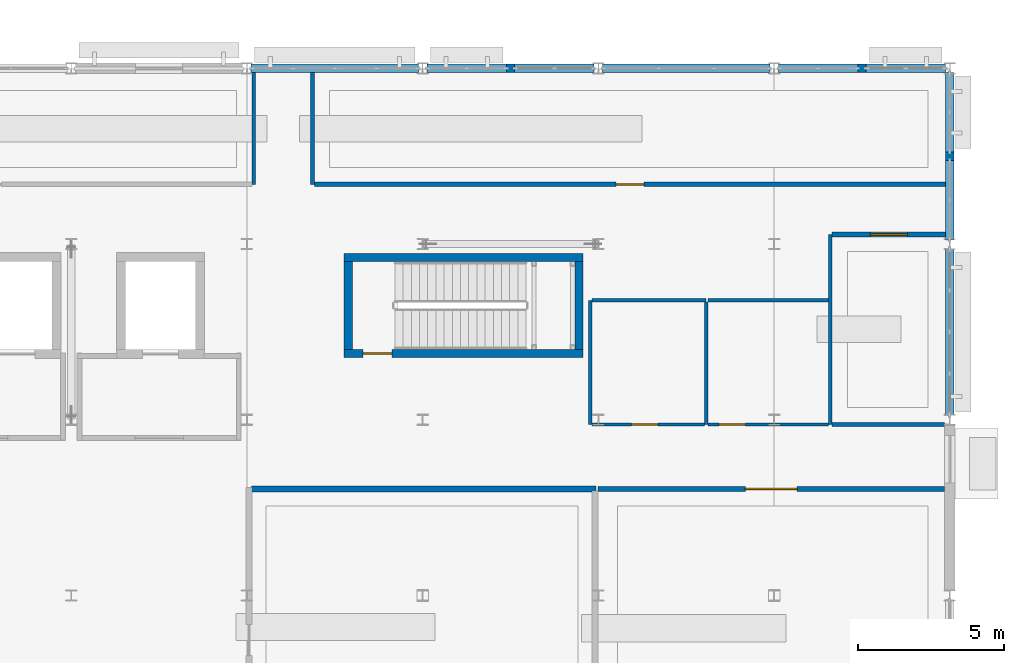
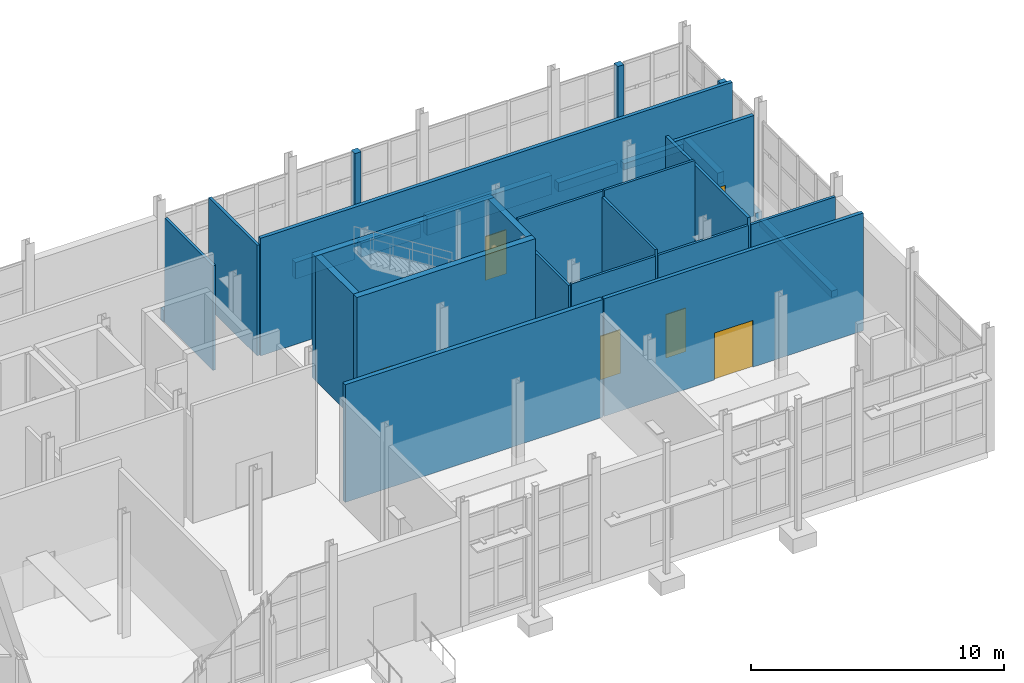
# One storey, part 104 of 120: 30 walls, 6 doors, 6 openings.
"""IFC4 building model written with IfcOpenShell, lengths in metres."""

import ifcopenshell
import ifcopenshell.guid

model = None  # the IFC model being written
_history = None  # IfcOwnerHistory: only IFC2X3 demands one
_inside = {}  # id of a spatial element -> (the spatial element, [elements in it])
_under = {}  # id of a project, library or spatial element -> (it, [spatial elements below it])
_declared = {}  # id of a project -> (the project, [libraries it declares])
_typed = {}  # id of a type object -> (the type object, [elements of that type])
_made_of = {}  # id of a material, layer set ... -> (it, [elements and type objects made of it])


def new_model(schema):
    """Start an empty IFC model of exactly this schema.

    Asked for "IFC4X3", IfcOpenShell would pick the latest addendum, in which some entities
    have other attributes; the version numbers below select the first issue.
    IFC2X3 requires an IfcOwnerHistory on every rooted entity: one is made here for all.
    """
    global model, _history
    if schema == "IFC4X3":
        model = ifcopenshell.file(schema_version=(4, 3, 0, 0))
    else:
        model = ifcopenshell.file(schema=schema)
    _inside.clear()
    _under.clear()
    _declared.clear()
    _typed.clear()
    _made_of.clear()
    _history = None
    if model.schema == "IFC2X3":
        org = make("IfcOrganization", Name="unknown")
        user = make(
            "IfcPersonAndOrganization",
            ThePerson=make("IfcPerson", FamilyName="unknown"),
            TheOrganization=org,
        )
        app = make(
            "IfcApplication",
            ApplicationDeveloper=org,
            Version="unknown",
            ApplicationFullName="unknown",
            ApplicationIdentifier="unknown",
        )
        _history = make(
            "IfcOwnerHistory",
            OwningUser=user,
            OwningApplication=app,
            ChangeAction="ADDED",
            CreationDate=0,
        )
    return model


def make(cls, **values):
    """One entity of the class cls with the attributes given. An attribute that is None is left unset."""
    return model.create_entity(
        cls, **{name: value for name, value in values.items() if value is not None}
    )


def rooted(cls, **values):
    """An entity with a GlobalId (a new one), such as an element, a storey or a relation."""
    return make(cls, GlobalId=ifcopenshell.guid.new(), OwnerHistory=_history, **values)


def si_unit(unit_type, name, prefix=None):
    """IfcSIUnit, for example si_unit("LENGTHUNIT", "METRE", prefix="MILLI")."""
    return make("IfcSIUnit", UnitType=unit_type, Prefix=prefix, Name=name)


def assignment(units):
    """IfcUnitAssignment: the units of a project."""
    return None if units is None else make("IfcUnitAssignment", Units=units)


def point(xyz):
    """IfcCartesianPoint."""
    return None if xyz is None else make("IfcCartesianPoint", Coordinates=xyz)


def direction(xyz):
    """IfcDirection."""
    return None if xyz is None else make("IfcDirection", DirectionRatios=xyz)


def frame(location, z_axis=None, x_axis=None):
    """IfcAxis2Placement3D, a coordinate frame: its origin and axes. An axis left out is left unset."""
    return make(
        "IfcAxis2Placement3D",
        Location=point(location),
        Axis=direction(z_axis),
        RefDirection=direction(x_axis),
    )


def frame_2d(location, x_axis=None):
    """IfcAxis2Placement2D, a coordinate frame in the plane: its origin and x axis."""
    return make(
        "IfcAxis2Placement2D", Location=point(location), RefDirection=direction(x_axis)
    )


def origin():
    """The frame at (0, 0, 0) with its axes left unset."""
    return frame((0.0, 0.0, 0.0))


def place(relative_to, where):
    """IfcLocalPlacement: puts the frame where relative to a parent placement (None: the world)."""
    return make(
        "IfcLocalPlacement", PlacementRelTo=relative_to, RelativePlacement=where
    )


def context(
    kind, dimensions, precision=None, world=None, true_north=None, identifier=None
):
    """IfcGeometricRepresentationContext, for example the 3D "Model" context."""
    return make(
        "IfcGeometricRepresentationContext",
        ContextIdentifier=identifier,
        ContextType=kind,
        CoordinateSpaceDimension=dimensions,
        Precision=precision,
        WorldCoordinateSystem=world,
        TrueNorth=true_north,
    )


def subcontext(parent, identifier, kind, view, scale=None):
    """IfcGeometricRepresentationSubContext, for example "Body" below "Model"."""
    return make(
        "IfcGeometricRepresentationSubContext",
        ContextIdentifier=identifier,
        ContextType=kind,
        ParentContext=parent,
        TargetScale=scale,
        TargetView=view,
    )


def project(units=None, contexts=None):
    """IfcProject with its units and contexts."""
    return rooted(
        "IfcProject",
        Name="project",
        RepresentationContexts=contexts,
        UnitsInContext=assignment(units),
    )


def spatial(cls, under=None, at=None, **own):
    """A site, building, storey or space (cls), placed at a placement, below another one or the project."""
    s = rooted(cls, ObjectPlacement=at, **own)
    if under is not None:
        _under.setdefault(under.id(), (under, []))[1].append(s)
    return s


def profile(cls, at=None, kind="AREA", **sizes):
    """A parametric profile (cls). Its sizes go by their IFC names, for example OverallWidth=200.0."""
    return make(cls, ProfileType=kind, Position=at, **sizes)


def rectangle(**sizes):
    """IfcRectangleProfileDef."""
    return profile("IfcRectangleProfileDef", **sizes)


def extrude(swept, where, along, depth):
    """IfcExtrudedAreaSolid: the profile swept, set in the frame where, extruded along a direction by depth."""
    return make(
        "IfcExtrudedAreaSolid",
        SweptArea=swept,
        Position=where,
        ExtrudedDirection=direction(along),
        Depth=depth,
    )


def shape(context_of_items, identifier, shape_type, items):
    """IfcShapeRepresentation: the items that make up one representation, for example the "Body"."""
    return make(
        "IfcShapeRepresentation",
        ContextOfItems=context_of_items,
        RepresentationIdentifier=identifier,
        RepresentationType=shape_type,
        Items=items,
    )


def material(Name=None, Category=None):
    """IfcMaterial."""
    return make("IfcMaterial", Name=Name, Category=Category)


def layer(
    of_material, thickness, ventilated=None, Name=None, Category=None, Priority=None
):
    """IfcMaterialLayer: one layer of a wall or slab, of a material (None: an air gap)."""
    return make(
        "IfcMaterialLayer",
        Material=of_material,
        LayerThickness=thickness,
        IsVentilated=ventilated,
        Name=Name,
        Category=Category,
        Priority=Priority,
    )


def layer_set(layers, Name=None):
    """IfcMaterialLayerSet."""
    return make("IfcMaterialLayerSet", MaterialLayers=layers, LayerSetName=Name)


def made_of(thing, what):
    """Note that an element or type object is made of a material, layer set ...; save() writes the relation."""
    if what is not None:
        _made_of.setdefault(what.id(), (what, []))[1].append(thing)
    return thing


def type_object(cls, material=None, **own):
    """A type object (cls), such as IfcWallType, which elements share."""
    return made_of(rooted(cls, **own), material)


def element(
    cls,
    number,
    at=None,
    inside=None,
    cuts=None,
    type_object=None,
    material=None,
    context=None,
    identifier="Body",
    shape_type=None,
    held_by="IfcProductDefinitionShape",
    body=None,
    shapes=None,
    **own,
):
    """One element of the class cls, such as IfcWall. Its Tag is "e" and its number.

    at: its placement. inside: the storey or other place that contains it. cuts: it is an
    opening in that element (IfcRelVoidsElement). A single representation is given by context,
    identifier, shape_type and body (its items); several are given by shapes. held_by: the class
    of the entity that holds the representations. save() writes the other relations.
    """
    e = rooted(cls, Tag="e%d" % number, ObjectPlacement=at, **own)
    if body is not None:
        shapes = [shape(context, identifier, shape_type, body)]
    if shapes is not None:
        e.Representation = make(held_by, Representations=shapes)
    if inside is not None:
        _inside.setdefault(inside.id(), (inside, []))[1].append(e)
    if cuts is not None:
        rooted(
            "IfcRelVoidsElement", RelatingBuildingElement=cuts, RelatedOpeningElement=e
        )
    if type_object is not None:
        _typed.setdefault(type_object.id(), (type_object, []))[1].append(e)
    return made_of(e, material)


def fill(opening, filler):
    """IfcRelFillsElement: the door or window that sits in an opening."""
    return rooted(
        "IfcRelFillsElement",
        RelatingOpeningElement=opening,
        RelatedBuildingElement=filler,
    )


def aggregate(whole, parts):
    """IfcRelAggregates: a whole, such as a stair, and the parts it consists of."""
    return rooted("IfcRelAggregates", RelatingObject=whole, RelatedObjects=parts)


def save(model, path):
    """Write the relations noted so far, then the file.

    IfcRelAggregates (storeys below a building ...), IfcRelContainedInSpatialStructure (elements
    in a storey), IfcRelDefinesByType, IfcRelAssociatesMaterial and IfcRelDeclares: one each for
    every whole, place, type object, material and project.
    """
    for whole, parts in _under.values():
        aggregate(whole, parts)
    for where, things in _inside.values():
        rooted(
            "IfcRelContainedInSpatialStructure",
            RelatedElements=things,
            RelatingStructure=where,
        )
    for kind, things in _typed.values():
        rooted("IfcRelDefinesByType", RelatedObjects=things, RelatingType=kind)
    for what, things in _made_of.values():
        rooted("IfcRelAssociatesMaterial", RelatedObjects=things, RelatingMaterial=what)
    for by, libraries in _declared.values():
        rooted("IfcRelDeclares", RelatingContext=by, RelatedDefinitions=libraries)
    model.write(path)


model = new_model("IFC4")

# Units and contexts
model_context = context("Model", 3, precision=1e-05, world=origin(), true_north=direction((0.0, 1.0)))
body_context = subcontext(model_context, "Body", "Model", "MODEL_VIEW")
ifc_project = project(units=[si_unit("LENGTHUNIT", "METRE"), si_unit("AREAUNIT", "SQUARE_METRE"), si_unit("VOLUMEUNIT", "CUBIC_METRE"), si_unit("PLANEANGLEUNIT", "RADIAN"), si_unit("MASSUNIT", "GRAM", prefix="KILO")], contexts=[model_context])

# Site, building, storey
site_placement = place(None, origin())
site = spatial("IfcSite", under=ifc_project, at=site_placement, CompositionType="ELEMENT")
building_placement = place(site_placement, origin())
building = spatial("IfcBuilding", under=site, at=building_placement, Name="Siltcreek Boulevard Central Fire Station", CompositionType="ELEMENT")
storey_placement = place(building_placement, origin())
storey = spatial("IfcBuildingStorey", under=building, at=storey_placement, Name="L01", CompositionType="ELEMENT", Elevation=0.0)

# Wall, opening, door
ifc_material_1 = material(Name="Concrete C40/50", Category="concrete")
ifc_layer_1 = layer(ifc_material_1, 0.280029296875, Name="Concrete C40/50")
ifc_layer_set_1 = layer_set([ifc_layer_1], Name="Concrete C40/50")
wall_type_1 = type_object("IfcWallType", Name="CW_SHEAR280", PredefinedType="SHEAR", material=ifc_layer_set_1)
wall_1_placement = place(storey_placement, frame((145.52001953125, 102.4599609375, 0.0), z_axis=(0.0, 0.0, 1.0), x_axis=(1.0, 0.0, 0.0)))
wall_1 = element("IfcWall", 1, at=wall_1_placement, inside=storey, type_object=wall_type_1, Name="L01 ST-V5B stair enclosure south shear wall", PredefinedType="SHEAR", context=body_context, shape_type="SweptSolid", body=[
    extrude(rectangle(XDim=8.159912109375, YDim=0.280029296875, at=frame_2d((4.080078125, 0.0))), origin(), (0.0, 0.0, 1.0), 6.0),
])
opening_1_placement = place(wall_1_placement, frame((0.64990234375, 0.0, 0.0)))
opening_1 = element("IfcOpeningElement", 2, at=opening_1_placement, cuts=wall_1, Name="Opening SD-039", PredefinedType="OPENING", context=body_context, shape_type="SweptSolid", body=[
    extrude(rectangle(XDim=0.97998046875, YDim=2.14990234375, at=frame_2d((0.489990234375, 1.074951171875))), frame((0.0, 0.14990234375, 0.0), z_axis=(0.0, -1.0, 0.0), x_axis=(1.0, 0.0, 0.0)), (0.0, 0.0, 1.0), 0.300048828125),
])
ifc_material_2 = material(Name="Hollow metal 90-min enclosed stair door")
door_type_1 = type_object("IfcDoorType", Name="DR_ST_098X215", OperationType="NOTDEFINED", PredefinedType="DOOR", material=ifc_material_2)
door_1_placement = place(opening_1_placement, origin())
door_1 = element("IfcDoor", 3, at=door_1_placement, inside=storey, type_object=door_type_1, Name="L01 ST-V5B enclosed exit stair door SD-039", OperationType="SINGLE_SWING_RIGHT", OverallHeight=2.14990234375, OverallWidth=0.97998046875, PredefinedType="DOOR", context=body_context, shape_type="SweptSolid", body=[
    extrude(rectangle(XDim=0.97998046875, YDim=2.14990234375, at=frame_2d((0.489990234375, 1.074951171875))), frame((0.0, 0.02490234375, 0.0), z_axis=(0.0, -1.0, 0.0), x_axis=(1.0, 0.0, 0.0)), (0.0, 0.0, 1.0), 0.050048828125),
])
fill(opening_1, door_1)

# Walls
wall_2_placement = place(storey_placement, frame((153.679931640625, 105.739990234375, 0.0), z_axis=(0.0, 0.0, 1.0), x_axis=(-1.0, 0.0, 0.0)))
element("IfcWall", 4, at=wall_2_placement, inside=storey, type_object=wall_type_1, Name="L01 ST-V5B stair enclosure north shear wall", PredefinedType="SHEAR", context=body_context, shape_type="SweptSolid", body=[
    extrude(rectangle(XDim=8.159912109375, YDim=0.280029296875, at=frame_2d((4.080078125, 0.0))), origin(), (0.0, 0.0, 1.0), 6.0),
])
for number, where, z_axis, x_axis, name in (
    (5, (145.659912109375, 105.60009765625, 0.0), (0.0, 0.0, 1.0), (0.0, -1.0, 0.0), "L01 ST-V5B stair enclosure west shear wall"),
    (6, (153.5400390625, 102.60009765625, 0.0), (0.0, 0.0, 1.0), (0.0, 1.0, 0.0), "L01 ST-V5B stair enclosure east shear wall"),
):
    element("IfcWall", number, at=place(storey_placement, frame(where, z_axis=z_axis, x_axis=x_axis)), inside=storey, type_object=wall_type_1, Name=name, PredefinedType="SHEAR", context=body_context, shape_type="SweptSolid", body=[
        extrude(rectangle(XDim=3.0, YDim=0.280029296875, at=frame_2d((1.5, 0.0))), origin(), (0.0, 0.0, 1.0), 6.0),
    ])
ifc_material_3 = material(Name="White ribbed aluminum spandrel wall", Category="aluminium")
ifc_layer_2 = layer(ifc_material_3, 0.2900390625, Name="White ribbed aluminum spandrel wall")
ifc_layer_set_2 = layer_set([ifc_layer_2], Name="White ribbed aluminum spandrel wall")
wall_type_2 = type_object("IfcWallType", Name="EW_METAL290", PredefinedType="STANDARD", material=ifc_layer_set_2)
wall_3_placement = place(storey_placement, frame((148.054931640625, 112.199951171875, 0.0), z_axis=(0.0, 0.0, 1.0), x_axis=(-1.0, 0.0, 0.0)))
element("IfcWall", 7, at=wall_3_placement, inside=storey, type_object=wall_type_2, Name="L01 V5 curtain-wall sill spandrel 0311", PredefinedType="STANDARD", context=body_context, shape_type="SweptSolid", body=[
    extrude(rectangle(XDim=5.7099609375, YDim=0.2900390625, at=frame_2d((2.85498046875, 0.0))), origin(), (0.0, 0.0, 1.0), 0.56005859375),
])
wall_4_placement = place(storey_placement, frame((151.340087890625, 112.199951171875, 0.0), z_axis=(0.0, 0.0, 1.0), x_axis=(-1.0, 0.0, 0.0)))
element("IfcWall", 8, at=wall_4_placement, inside=storey, type_object=wall_type_2, Name="L01 V5 facade pier 0312", PredefinedType="STANDARD", context=body_context, shape_type="SweptSolid", body=[
    extrude(rectangle(XDim=0.280029296875, YDim=0.2900390625, at=frame_2d((0.14013671875, 0.0))), origin(), (0.0, 0.0, 1.0), 5.113037109375),
])
wall_5_placement = place(storey_placement, frame((154.054931640625, 112.199951171875, 0.0), z_axis=(0.0, 0.0, 1.0), x_axis=(-1.0, 0.0, 0.0)))
element("IfcWall", 9, at=wall_5_placement, inside=storey, type_object=wall_type_2, Name="L01 V5 curtain-wall sill spandrel 0313", PredefinedType="STANDARD", context=body_context, shape_type="SweptSolid", body=[
    extrude(rectangle(XDim=2.71484375, YDim=0.2900390625, at=frame_2d((1.357421875, 0.0))), origin(), (0.0, 0.0, 1.0), 0.679931640625),
])
wall_6_placement = place(storey_placement, frame((151.06005859375, 112.199951171875, 0.0), z_axis=(0.0, 0.0, 1.0), x_axis=(-1.0, 0.0, 0.0)))
element("IfcWall", 10, at=wall_6_placement, inside=storey, type_object=wall_type_2, Name="L01 V5 curtain-wall sill spandrel 0314", PredefinedType="STANDARD", context=body_context, shape_type="SweptSolid", body=[
    extrude(rectangle(XDim=2.715087890625, YDim=0.2900390625, at=frame_2d((1.357421875, 0.0))), origin(), (0.0, 0.0, 1.0), 0.800048828125),
])
wall_7_placement = place(storey_placement, frame((160.054931640625, 112.199951171875, 0.0), z_axis=(0.0, 0.0, 1.0), x_axis=(-1.0, 0.0, 0.0)))
element("IfcWall", 11, at=wall_7_placement, inside=storey, type_object=wall_type_2, Name="L01 V5 curtain-wall sill spandrel 0315", PredefinedType="STANDARD", context=body_context, shape_type="SweptSolid", body=[
    extrude(rectangle(XDim=5.7099609375, YDim=0.2900390625, at=frame_2d((2.85498046875, 0.0))), origin(), (0.0, 0.0, 1.0), 0.919921875),
])
wall_8_placement = place(storey_placement, frame((163.340087890625, 112.199951171875, 0.0), z_axis=(0.0, 0.0, 1.0), x_axis=(-1.0, 0.0, 0.0)))
element("IfcWall", 12, at=wall_8_placement, inside=storey, type_object=wall_type_2, Name="L01 V5 facade pier 0316", PredefinedType="STANDARD", context=body_context, shape_type="SweptSolid", body=[
    extrude(rectangle(XDim=0.280029296875, YDim=0.2900390625, at=frame_2d((0.14013671875, 0.0))), origin(), (0.0, 0.0, 1.0), 5.113037109375),
])
wall_9_placement = place(storey_placement, frame((166.054931640625, 112.199951171875, 0.0), z_axis=(0.0, 0.0, 1.0), x_axis=(-1.0, 0.0, 0.0)))
element("IfcWall", 13, at=wall_9_placement, inside=storey, type_object=wall_type_2, Name="L01 V5 curtain-wall sill spandrel 0317", PredefinedType="STANDARD", context=body_context, shape_type="SweptSolid", body=[
    extrude(rectangle(XDim=2.71484375, YDim=0.2900390625, at=frame_2d((1.357421875, 0.0))), origin(), (0.0, 0.0, 1.0), 0.320068359375),
])
wall_10_placement = place(storey_placement, frame((163.06005859375, 112.199951171875, 0.0), z_axis=(0.0, 0.0, 1.0), x_axis=(-1.0, 0.0, 0.0)))
element("IfcWall", 14, at=wall_10_placement, inside=storey, type_object=wall_type_2, Name="L01 V5 curtain-wall sill spandrel 0318", PredefinedType="STANDARD", context=body_context, shape_type="SweptSolid", body=[
    extrude(rectangle(XDim=2.715087890625, YDim=0.2900390625, at=frame_2d((1.357421875, 0.0))), origin(), (0.0, 0.0, 1.0), 0.43994140625),
])
wall_11_placement = place(storey_placement, frame((166.199951171875, 100.344970703125, 0.0), z_axis=(0.0, 0.0, 1.0), x_axis=(0.0, 1.0, 0.0)))
element("IfcWall", 15, at=wall_11_placement, inside=storey, type_object=wall_type_2, Name="L01 V5 curtain-wall sill spandrel 0327", PredefinedType="STANDARD", context=body_context, shape_type="SweptSolid", body=[
    extrude(rectangle(XDim=5.7099609375, YDim=0.2900390625, at=frame_2d((2.85498046875, 0.0))), origin(), (0.0, 0.0, 1.0), 0.320068359375),
])
wall_12_placement = place(storey_placement, frame((166.199951171875, 109.06005859375, 0.0), z_axis=(0.0, 0.0, 1.0), x_axis=(0.0, 1.0, 0.0)))
element("IfcWall", 16, at=wall_12_placement, inside=storey, type_object=wall_type_2, Name="L01 V5 facade pier 0328", PredefinedType="STANDARD", context=body_context, shape_type="SweptSolid", body=[
    extrude(rectangle(XDim=0.280029296875, YDim=0.2900390625, at=frame_2d((0.14013671875, 0.0))), origin(), (0.0, 0.0, 1.0), 5.0439453125),
])
wall_13_placement = place(storey_placement, frame((166.199951171875, 106.344970703125, 0.0), z_axis=(0.0, 0.0, 1.0), x_axis=(0.0, 1.0, 0.0)))
element("IfcWall", 17, at=wall_13_placement, inside=storey, type_object=wall_type_2, Name="L01 V5 curtain-wall sill spandrel 0329", PredefinedType="STANDARD", context=body_context, shape_type="SweptSolid", body=[
    extrude(rectangle(XDim=2.715087890625, YDim=0.2900390625, at=frame_2d((1.357421875, 0.0))), origin(), (0.0, 0.0, 1.0), 0.43994140625),
])
wall_14_placement = place(storey_placement, frame((166.199951171875, 109.340087890625, 0.0), z_axis=(0.0, 0.0, 1.0), x_axis=(0.0, 1.0, 0.0)))
element("IfcWall", 18, at=wall_14_placement, inside=storey, type_object=wall_type_2, Name="L01 V5 curtain-wall sill spandrel 0330", PredefinedType="STANDARD", context=body_context, shape_type="SweptSolid", body=[
    extrude(rectangle(XDim=2.71484375, YDim=0.2900390625, at=frame_2d((1.357421875, 0.0))), origin(), (0.0, 0.0, 1.0), 0.56005859375),
])
ifc_material_4 = material(Name="Fire-rated concrete masonry and gypsum barrier", Category="masonry")
ifc_layer_3 = layer(ifc_material_4, 0.199951171875, Name="Fire-rated concrete masonry and gypsum barrier")
ifc_layer_set_3 = layer_set([ifc_layer_3], Name="Fire-rated concrete masonry and gypsum barrier")
wall_type_3 = type_object("IfcWallType", Name="IW_FIRE200", PredefinedType="PARTITIONING", material=ifc_layer_set_3)
wall_15_placement = place(storey_placement, frame((142.35009765625, 97.840087890625, 0.0), z_axis=(0.0, 0.0, 1.0), x_axis=(1.0, 0.0, 0.0)))
element("IfcWall", 19, at=wall_15_placement, inside=storey, type_object=wall_type_3, Name="L01 Fire Prevention Bureau Office partition 0077", PredefinedType="PARTITIONING", context=body_context, shape_type="SweptSolid", body=[
    extrude(rectangle(XDim=11.77001953125, YDim=0.199951171875, at=frame_2d((5.885009765625, 0.0))), origin(), (0.0, 0.0, 1.0), 5.679931640625),
])
ifc_material_5 = material(Name="Interior steel stud gypsum partition", Category="steel")
ifc_layer_4 = layer(ifc_material_5, 0.125, Name="Interior steel stud gypsum partition")
ifc_layer_set_4 = layer_set([ifc_layer_4], Name="Interior steel stud gypsum partition")
wall_type_4 = type_object("IfcWallType", Name="IW_PART125", PredefinedType="PARTITIONING", material=ifc_layer_set_4)
wall_16_placement = place(storey_placement, frame((142.429931640625, 112.054931640625, 0.0), z_axis=(0.0, 0.0, 1.0), x_axis=(0.0, -1.0, 0.0)))
element("IfcWall", 20, at=wall_16_placement, inside=storey, type_object=wall_type_4, Name="L01 Public Records and Hydrant Map Room partition 0080", PredefinedType="PARTITIONING", context=body_context, shape_type="SweptSolid", body=[
    extrude(rectangle(XDim=3.8173828125, YDim=0.125, at=frame_2d((1.90869140625, 0.0))), origin(), (0.0, 0.0, 1.0), 5.0439453125),
])
wall_17_placement = place(storey_placement, frame((144.43994140625, 108.237548828125, 0.0), z_axis=(0.0, 0.0, 1.0), x_axis=(0.0, 1.0, 0.0)))
element("IfcWall", 21, at=wall_17_placement, inside=storey, type_object=wall_type_4, Name="L01 Community Risk Reduction Office partition 0082", PredefinedType="PARTITIONING", context=body_context, shape_type="SweptSolid", body=[
    extrude(rectangle(XDim=3.8173828125, YDim=0.125, at=frame_2d((1.90869140625, 0.0))), origin(), (0.0, 0.0, 1.0), 5.339111328125),
])
wall_18_placement = place(storey_placement, frame((162.1201171875, 100.03759765625, 0.0), z_axis=(0.0, 0.0, 1.0), x_axis=(0.0, 1.0, 0.0)))
element("IfcWall", 22, at=wall_18_placement, inside=storey, type_object=wall_type_4, Name="L01 Permit Consultation Room partition 0088", PredefinedType="PARTITIONING", context=body_context, shape_type="SweptSolid", body=[
    extrude(rectangle(XDim=6.494873046875, YDim=0.125, at=frame_2d((3.24755859375, 0.0))), origin(), (0.0, 0.0, 1.0), 5.450927734375),
])
wall_19_placement = place(storey_placement, frame((166.02490234375, 100.0400390625, 0.0), z_axis=(0.0, 0.0, 1.0), x_axis=(-1.0, 0.0, 0.0)))
element("IfcWall", 23, at=wall_19_placement, inside=storey, type_object=wall_type_4, Name="L01 Permit Consultation Room partition 0090", PredefinedType="PARTITIONING", context=body_context, shape_type="SweptSolid", body=[
    extrude(rectangle(XDim=3.84228515625, YDim=0.125, at=frame_2d((1.921142578125, 0.0))), origin(), (0.0, 0.0, 1.0), 5.113037109375),
])

# Wall, opening, door
ifc_material_6 = material(Name="Acoustic smoke-barrier steel stud gypsum wall", Category="steel")
ifc_layer_5 = layer(ifc_material_6, 0.1650390625, Name="Acoustic smoke-barrier steel stud gypsum wall")
ifc_layer_set_5 = layer_set([ifc_layer_5], Name="Acoustic smoke-barrier steel stud gypsum wall")
wall_type_5 = type_object("IfcWallType", Name="IW_SMK165", PredefinedType="PARTITIONING", material=ifc_layer_set_5)
wall_20_placement = place(storey_placement, frame((154.179931640625, 97.840087890625, 0.0), z_axis=(0.0, 0.0, 1.0), x_axis=(1.0, 0.0, 0.0)))
wall_20 = element("IfcWall", 24, at=wall_20_placement, inside=storey, type_object=wall_type_5, Name="L01 Engineering Plan Review Suite partition 0079", PredefinedType="PARTITIONING", context=body_context, shape_type="SweptSolid", body=[
    extrude(rectangle(XDim=11.844970703125, YDim=0.1650390625, at=frame_2d((5.92236328125, 0.0))), origin(), (0.0, 0.0, 1.0), 5.679931640625),
])
opening_2_placement = place(wall_20_placement, frame((5.04248046875, 0.0, 0.0)))
opening_2 = element("IfcOpeningElement", 25, at=opening_2_placement, cuts=wall_20, Name="Opening AD01", PredefinedType="OPENING", context=body_context, shape_type="SweptSolid", body=[
    extrude(rectangle(XDim=1.760009765625, YDim=2.260009765625, at=frame_2d((0.8798828125, 1.1298828125))), frame((0.0, 0.092529296875, 0.0), z_axis=(0.0, -1.0, 0.0), x_axis=(1.0, 0.0, 0.0)), (0.0, 0.0, 1.0), 0.18505859375),
])
ifc_material_7 = material(Name="Acoustic solid-core lecture theatre vomitory pair")
door_type_2 = type_object("IfcDoorType", Name="DR_TH_176X226", OperationType="NOTDEFINED", PredefinedType="DOOR", material=ifc_material_7)
door_2_placement = place(opening_2_placement, frame((1.760009765625, 0.0, 0.0), z_axis=(0.0, 0.0, 1.0), x_axis=(-1.0, 0.0, 0.0)))
door_2 = element("IfcDoor", 26, at=door_2_placement, inside=storey, type_object=door_type_2, Name="L01 Engineering Plan Review Suite door ID-0036", OperationType="DOUBLE_DOOR_SINGLE_SWING", OverallHeight=2.260009765625, OverallWidth=1.760009765625, PredefinedType="DOOR", context=body_context, shape_type="SweptSolid", body=[
    extrude(rectangle(XDim=1.760009765625, YDim=2.260009765625, at=frame_2d((0.8798828125, 1.1298828125))), frame((0.0, 0.02490234375, 0.0), z_axis=(0.0, -1.0, 0.0), x_axis=(1.0, 0.0, 0.0)), (0.0, 0.0, 1.0), 0.050048828125),
])
fill(opening_2, door_2)

wall_21_placement = place(storey_placement, frame((166.054931640625, 108.239990234375, 0.0), z_axis=(0.0, 0.0, 1.0), x_axis=(-1.0, 0.0, 0.0)))
wall_21 = element("IfcWall", 27, at=wall_21_placement, inside=storey, type_object=wall_type_5, Name="L01 Community Risk Reduction Office partition 0083", PredefinedType="PARTITIONING", context=body_context, shape_type="SweptSolid", body=[
    extrude(rectangle(XDim=21.552490234375, YDim=0.1650390625, at=frame_2d((10.7763671875, 0.0))), origin(), (0.0, 0.0, 1.0), 5.679931640625),
])
opening_3_placement = place(wall_21_placement, frame((10.30126953125, 0.0, 0.0)))
opening_3 = element("IfcOpeningElement", 28, at=opening_3_placement, cuts=wall_21, Name="Opening ID05", PredefinedType="OPENING", context=body_context, shape_type="SweptSolid", body=[
    extrude(rectangle(XDim=0.949951171875, YDim=2.1201171875, at=frame_2d((0.47509765625, 1.06005859375))), frame((0.0, 0.092529296875, 0.0), z_axis=(0.0, -1.0, 0.0), x_axis=(1.0, 0.0, 0.0)), (0.0, 0.0, 1.0), 0.18505859375),
])
ifc_material_8 = material(Name="STC-45 officer bunk suite door")
door_type_3 = type_object("IfcDoorType", Name="DR_OFS_095X212", OperationType="NOTDEFINED", PredefinedType="DOOR", material=ifc_material_8)
door_3_placement = place(opening_3_placement, frame((0.949951171875, 0.0, 0.0), z_axis=(0.0, 0.0, 1.0), x_axis=(-1.0, 0.0, 0.0)))
door_3 = element("IfcDoor", 29, at=door_3_placement, inside=storey, type_object=door_type_3, Name="L01 Community Risk Reduction Office door ID-0038", OperationType="SINGLE_SWING_LEFT", OverallHeight=2.1201171875, OverallWidth=0.949951171875, PredefinedType="DOOR", context=body_context, shape_type="SweptSolid", body=[
    extrude(rectangle(XDim=0.949951171875, YDim=2.1201171875, at=frame_2d((0.47509765625, 1.06005859375))), frame((0.0, 0.02490234375, 0.0), z_axis=(0.0, -1.0, 0.0), x_axis=(1.0, 0.0, 0.0)), (0.0, 0.0, 1.0), 0.050048828125),
])
fill(opening_3, door_3)

wall_22_placement = place(storey_placement, frame((162.1826171875, 106.530029296875, 0.0), z_axis=(0.0, 0.0, 1.0), x_axis=(1.0, 0.0, 0.0)))
wall_22 = element("IfcWall", 30, at=wall_22_placement, inside=storey, type_object=wall_type_5, Name="L01 Permit Consultation Room partition 0089", PredefinedType="PARTITIONING", context=body_context, shape_type="SweptSolid", body=[
    extrude(rectangle(XDim=3.872314453125, YDim=0.1650390625, at=frame_2d((1.93603515625, 0.0))), origin(), (0.0, 0.0, 1.0), 5.113037109375),
])
opening_4_placement = place(wall_22_placement, frame((1.306396484375, 0.0, 0.0)))
opening_4 = element("IfcOpeningElement", 31, at=opening_4_placement, cuts=wall_22, Name="Opening ID10", PredefinedType="OPENING", context=body_context, shape_type="SweptSolid", body=[
    extrude(rectangle(XDim=1.260009765625, YDim=2.199951171875, at=frame_2d((0.6298828125, 1.10009765625))), frame((0.0, 0.092529296875, 0.0), z_axis=(0.0, -1.0, 0.0), x_axis=(1.0, 0.0, 0.0)), (0.0, 0.0, 1.0), 0.18505859375),
])
ifc_material_9 = material(Name="Hollow metal equipment storage door")
door_type_4 = type_object("IfcDoorType", Name="DR_STR_126X220", OperationType="NOTDEFINED", PredefinedType="DOOR", material=ifc_material_9)
door_4_placement = place(opening_4_placement, frame((1.260009765625, 0.0, 0.0), z_axis=(0.0, 0.0, 1.0), x_axis=(-1.0, 0.0, 0.0)))
door_4 = element("IfcDoor", 32, at=door_4_placement, inside=storey, type_object=door_type_4, Name="L01 Permit Consultation Room door ID-0040", OperationType="SINGLE_SWING_LEFT", OverallHeight=2.199951171875, OverallWidth=1.260009765625, PredefinedType="DOOR", context=body_context, shape_type="SweptSolid", body=[
    extrude(rectangle(XDim=1.260009765625, YDim=2.199951171875, at=frame_2d((0.6298828125, 1.10009765625))), frame((0.0, 0.02490234375, 0.0), z_axis=(0.0, -1.0, 0.0), x_axis=(1.0, 0.0, 0.0)), (0.0, 0.0, 1.0), 0.050048828125),
])
fill(opening_4, door_4)

# Walls
ifc_material_10 = material(Name="Moisture-resistant tile backer toilet partition", Category="gypsum")
ifc_layer_6 = layer(ifc_material_10, 0.110107421875, Name="Moisture-resistant tile backer toilet partition")
ifc_layer_set_6 = layer_set([ifc_layer_6], Name="Moisture-resistant tile backer toilet partition")
wall_type_6 = type_object("IfcWallType", Name="IW_WET110", PredefinedType="PARTITIONING", material=ifc_layer_set_6)
wall_23_placement = place(storey_placement, frame((153.919921875, 100.044921875, 0.0), z_axis=(0.0, 0.0, 1.0), x_axis=(0.0, 1.0, 0.0)))
element("IfcWall", 33, at=wall_23_placement, inside=storey, type_object=wall_type_6, Name="L01 Headquarters Staff Toilet L01 partition 0084", PredefinedType="PARTITIONING", context=body_context, shape_type="SweptSolid", body=[
    extrude(rectangle(XDim=4.22998046875, YDim=0.110107421875, at=frame_2d((2.114990234375, 0.0))), origin(), (0.0, 0.0, 1.0), 5.0439453125),
])
wall_24_placement = place(storey_placement, frame((153.97509765625, 104.280029296875, 0.0), z_axis=(0.0, 0.0, 1.0), x_axis=(1.0, 0.0, 0.0)))
element("IfcWall", 34, at=wall_24_placement, inside=storey, type_object=wall_type_6, Name="L01 Headquarters Staff Toilet L01 partition 0085", PredefinedType="PARTITIONING", context=body_context, shape_type="SweptSolid", body=[
    extrude(rectangle(XDim=3.89990234375, YDim=0.110107421875, at=frame_2d((1.949951171875, 0.0))), origin(), (0.0, 0.0, 1.0), 5.679931640625),
])
wall_25_placement = place(storey_placement, frame((157.8798828125, 104.22509765625, 0.0), z_axis=(0.0, 0.0, 1.0), x_axis=(0.0, -1.0, 0.0)))
element("IfcWall", 35, at=wall_25_placement, inside=storey, type_object=wall_type_6, Name="L01 Headquarters Staff Toilet L01 partition 0086", PredefinedType="PARTITIONING", context=body_context, shape_type="SweptSolid", body=[
    extrude(rectangle(XDim=4.18017578125, YDim=0.110107421875, at=frame_2d((2.090087890625, 0.0))), origin(), (0.0, 0.0, 1.0), 5.389892578125),
])

# Wall, opening, door
wall_26_placement = place(storey_placement, frame((157.824951171875, 100.0400390625, 0.0), z_axis=(0.0, 0.0, 1.0), x_axis=(-1.0, 0.0, 0.0)))
wall_26 = element("IfcWall", 36, at=wall_26_placement, inside=storey, type_object=wall_type_6, Name="L01 Headquarters Staff Toilet L01 partition 0087", PredefinedType="PARTITIONING", context=body_context, shape_type="SweptSolid", body=[
    extrude(rectangle(XDim=3.849853515625, YDim=0.110107421875, at=frame_2d((1.9248046875, 0.0))), origin(), (0.0, 0.0, 1.0), 5.113037109375),
])
opening_5_placement = place(wall_26_placement, frame((1.594482421875, 0.0, 0.0)))
opening_5 = element("IfcOpeningElement", 37, at=opening_5_placement, cuts=wall_26, Name="Opening ID08", PredefinedType="OPENING", context=body_context, shape_type="SweptSolid", body=[
    extrude(rectangle(XDim=0.89990234375, YDim=2.10009765625, at=frame_2d((0.449951171875, 1.050048828125))), frame((0.0, 0.06494140625, 0.0), z_axis=(0.0, -1.0, 0.0), x_axis=(1.0, 0.0, 0.0)), (0.0, 0.0, 1.0), 0.130126953125),
])
ifc_material_11 = material(Name="Moisture-resistant accessible toilet door")
door_type_5 = type_object("IfcDoorType", Name="DR_WC_090X210", OperationType="NOTDEFINED", PredefinedType="DOOR", material=ifc_material_11)
door_5_placement = place(opening_5_placement, frame((0.89990234375, 0.0, 0.0), z_axis=(0.0, 0.0, 1.0), x_axis=(-1.0, 0.0, 0.0)))
door_5 = element("IfcDoor", 38, at=door_5_placement, inside=storey, type_object=door_type_5, Name="L01 Headquarters Staff Toilet L01 door ID-0039", OperationType="SINGLE_SWING_RIGHT", OverallHeight=2.10009765625, OverallWidth=0.89990234375, PredefinedType="DOOR", context=body_context, shape_type="SweptSolid", body=[
    extrude(rectangle(XDim=0.89990234375, YDim=2.10009765625, at=frame_2d((0.449951171875, 1.050048828125))), frame((0.0, 0.02490234375, 0.0), z_axis=(0.0, -1.0, 0.0), x_axis=(1.0, 0.0, 0.0)), (0.0, 0.0, 1.0), 0.050048828125),
])
fill(opening_5, door_5)

# Wall
wall_27_placement = place(storey_placement, frame((157.93505859375, 104.280029296875, 0.0), z_axis=(0.0, 0.0, 1.0), x_axis=(1.0, 0.0, 0.0)))
element("IfcWall", 39, at=wall_27_placement, inside=storey, type_object=wall_type_6, Name="L01 Headquarters Accessible Toilet L01 partition 0091", PredefinedType="PARTITIONING", context=body_context, shape_type="SweptSolid", body=[
    extrude(rectangle(XDim=4.12255859375, YDim=0.110107421875, at=frame_2d((2.061279296875, 0.0))), origin(), (0.0, 0.0, 1.0), 5.679931640625),
])

# Wall, opening, door
wall_28_placement = place(storey_placement, frame((162.0576171875, 100.0400390625, 0.0), z_axis=(0.0, 0.0, 1.0), x_axis=(-1.0, 0.0, 0.0)))
wall_28 = element("IfcWall", 40, at=wall_28_placement, inside=storey, type_object=wall_type_6, Name="L01 Headquarters Accessible Toilet L01 partition 0092", PredefinedType="PARTITIONING", context=body_context, shape_type="SweptSolid", body=[
    extrude(rectangle(XDim=4.12255859375, YDim=0.110107421875, at=frame_2d((2.061279296875, 0.0))), origin(), (0.0, 0.0, 1.0), 5.113037109375),
])
opening_6_placement = place(wall_28_placement, frame((2.839111328125, 0.0, 0.0)))
opening_6 = element("IfcOpeningElement", 41, at=opening_6_placement, cuts=wall_28, Name="Opening ID08", PredefinedType="OPENING", context=body_context, shape_type="SweptSolid", body=[
    extrude(rectangle(XDim=0.89990234375, YDim=2.10009765625, at=frame_2d((0.449951171875, 1.050048828125))), frame((0.0, 0.06494140625, 0.0), z_axis=(0.0, -1.0, 0.0), x_axis=(1.0, 0.0, 0.0)), (0.0, 0.0, 1.0), 0.130126953125),
])
door_6_placement = place(opening_6_placement, frame((0.89990234375, 0.0, 0.0), z_axis=(0.0, 0.0, 1.0), x_axis=(-1.0, 0.0, 0.0)))
door_6 = element("IfcDoor", 42, at=door_6_placement, inside=storey, type_object=door_type_5, Name="L01 Headquarters Accessible Toilet L01 door ID-0041", OperationType="SINGLE_SWING_RIGHT", OverallHeight=2.10009765625, OverallWidth=0.89990234375, PredefinedType="DOOR", context=body_context, shape_type="SweptSolid", body=[
    extrude(rectangle(XDim=0.89990234375, YDim=2.10009765625, at=frame_2d((0.449951171875, 1.050048828125))), frame((0.0, 0.02490234375, 0.0), z_axis=(0.0, -1.0, 0.0), x_axis=(1.0, 0.0, 0.0)), (0.0, 0.0, 1.0), 0.050048828125),
])
fill(opening_6, door_6)

save(model, "model.ifc")
